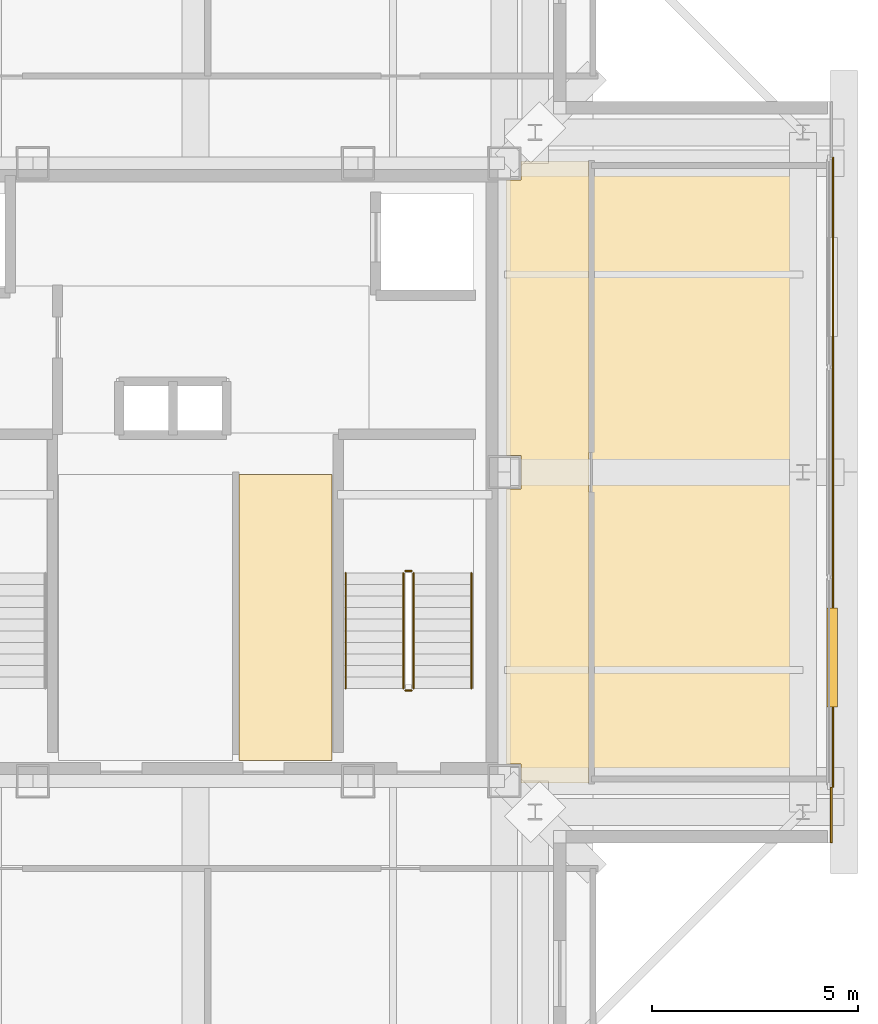
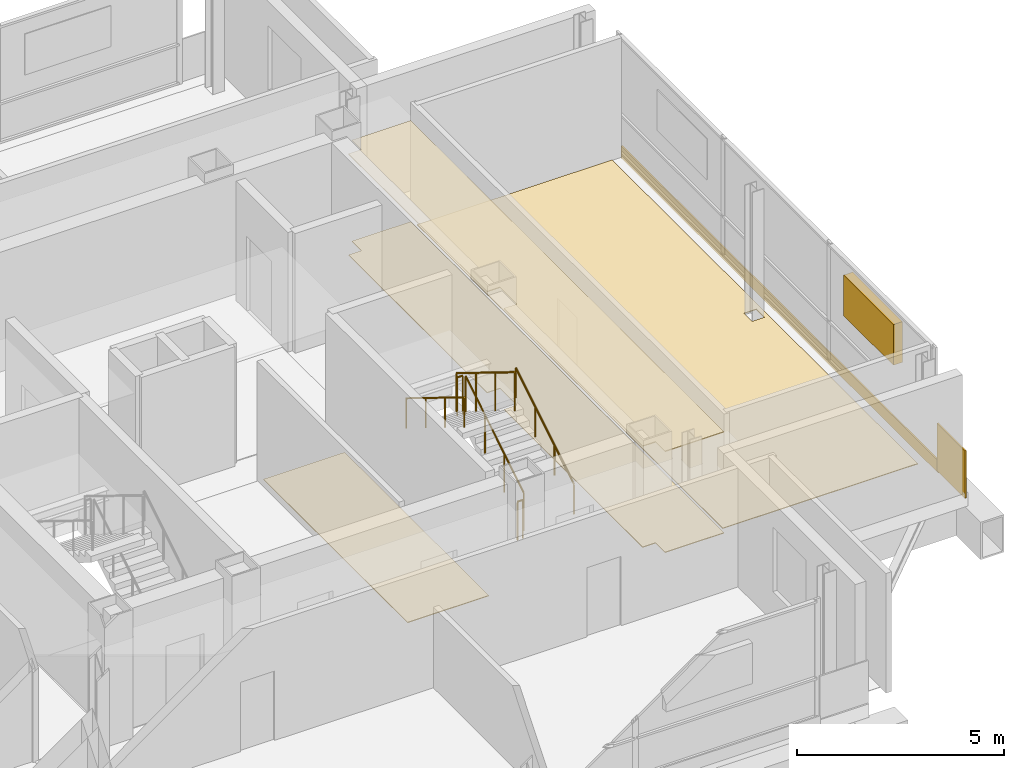
# One storey, part 9 of 10: 6 coverings, 6 railings, 1 shading device.
"""IFC4 building model written with IfcOpenShell, lengths in metres."""

from ifc_helpers import new_model, si_unit, direction, frame, frame_2d, origin, origin_2d, place, context, subcontext, project, spatial, polyline, rectangle, circle, outline, extrude, material, layer, layer_set, type_object, element, save


model = new_model("IFC4")

# Units and contexts
model_context = context("Model", 3, precision=1e-05, world=origin(), true_north=direction((0.0, 1.0)))
body_context = subcontext(model_context, "Body", "Model", "MODEL_VIEW")
ifc_project = project(units=[si_unit("LENGTHUNIT", "METRE"), si_unit("AREAUNIT", "SQUARE_METRE"), si_unit("VOLUMEUNIT", "CUBIC_METRE"), si_unit("PLANEANGLEUNIT", "RADIAN"), si_unit("MASSUNIT", "GRAM", prefix="KILO")], contexts=[model_context])

# Site, building, storey
site_placement = place(None, origin())
site = spatial("IfcSite", under=ifc_project, at=site_placement, CompositionType="ELEMENT")
building_placement = place(site_placement, origin())
building = spatial("IfcBuilding", under=site, at=building_placement, Name="Trevonay Congress Spire", CompositionType="ELEMENT")
storey_placement = place(building_placement, frame((0.0, 0.0, 316.0)))
storey = spatial("IfcBuildingStorey", under=building, at=storey_placement, Name="L83", CompositionType="ELEMENT", Elevation=316.0)

# Coverings
ifc_material_1 = material(Name="Acoustic Mineral Fibre Board", Category="gypsum")
ifc_layer_1 = layer(ifc_material_1, 0.02490234375, Name="Acoustic Mineral Fibre Board")
ifc_layer_set_1 = layer_set([ifc_layer_1], Name="Acoustic Mineral Fibre Board")
covering_type_1 = type_object("IfcCoveringType", Name="COV-CEIL-ACOUSTIC", PredefinedType="CEILING", material=ifc_layer_set_1)
covering_1_placement = place(storey_placement, frame((0.0, 0.0, 2.969970703125)))
element("IfcCovering", 1, at=covering_1_placement, inside=storey, type_object=covering_type_1, Name="L83 Crown Gallery Corridor East acoustic suspended ceiling", PredefinedType="CEILING", context=body_context, shape_type="SweptSolid", body=[
    extrude(outline(polyline([(9.550048828125, -7.550048828125), (7.909912109375, -7.550048828125), (7.909912109375, -7.090087890625), (7.550048828125, -7.090087890625), (7.550048828125, -0.409912109375), (7.909912109375, -0.409912109375), (7.909912109375, 0.409912109375), (7.550048828125, 0.409912109375), (7.550048828125, 7.090087890625), (7.909912109375, 7.090087890625), (7.909912109375, 7.550048828125), (9.550048828125, 7.550048828125), (9.550048828125, -7.550048828125)])), origin(), (0.0, 0.0, 1.0), 0.025146484375),
])
ifc_material_2 = material(Name="Polished Granite Floor Tile", Category="masonry")
ifc_layer_2 = layer(ifc_material_2, 0.02001953125, Name="Polished Granite Floor Tile")
ifc_layer_set_2 = layer_set([ifc_layer_2], Name="Polished Granite Floor Tile")
covering_type_2 = type_object("IfcCoveringType", Name="COV-FLOOR-STONE", PredefinedType="FLOORING", material=ifc_layer_set_2)
covering_2_placement = place(storey_placement, origin())
element("IfcCovering", 2, at=covering_2_placement, inside=storey, type_object=covering_type_2, Name="L83 Floor Supplies Store floor finish", PredefinedType="FLOORING", context=body_context, shape_type="SweptSolid", body=[
    extrude(outline(polyline([(1.06005859375, -7.0), (3.320068359375, -7.0), (3.320068359375, -0.050048828125), (1.06005859375, -0.050048828125), (1.06005859375, -7.0)])), origin(), (0.0, 0.0, 1.0), 0.02001953125),
])
covering_3_placement = place(storey_placement, origin())
element("IfcCovering", 3, at=covering_3_placement, inside=storey, type_object=covering_type_2, Name="L83 Crown Gallery Corridor East floor finish", PredefinedType="FLOORING", context=body_context, shape_type="SweptSolid", body=[
    extrude(outline(polyline([(9.550048828125, -7.550048828125), (7.909912109375, -7.550048828125), (7.909912109375, -7.090087890625), (7.550048828125, -7.090087890625), (7.550048828125, -0.409912109375), (7.909912109375, -0.409912109375), (7.909912109375, 0.409912109375), (7.550048828125, 0.409912109375), (7.550048828125, 7.090087890625), (7.909912109375, 7.090087890625), (7.909912109375, 7.550048828125), (9.550048828125, 7.550048828125), (9.550048828125, -7.550048828125)])), origin(), (0.0, 0.0, 1.0), 0.02001953125),
])
covering_4_placement = place(storey_placement, origin())
element("IfcCovering", 4, at=covering_4_placement, inside=storey, type_object=covering_type_2, Name="L83 Crown Lift Machine Plant floor finish", PredefinedType="FLOORING", context=body_context, shape_type="SweptSolid", body=[
    extrude(outline(polyline([(9.6201171875, 7.3701171875), (15.050048828125, 7.3701171875), (15.050048828125, -7.3701171875), (9.6201171875, -7.3701171875), (9.6201171875, 7.3701171875)]), holes=[polyline([(14.9208984375, -0.196044921875), (14.9208984375, 0.196044921875), (14.5791015625, 0.196044921875), (14.5791015625, -0.196044921875), (14.9208984375, -0.196044921875)])]), origin(), (0.0, 0.0, 1.0), 0.02001953125),
])
ifc_material_3 = material(Name="Pale Anodised Aluminium EN AW-6063-T6", Category="aluminium")
ifc_layer_3 = layer(ifc_material_3, 0.0400390625, Name="Pale Anodised Aluminium EN AW-6063-T6")
ifc_layer_set_3 = layer_set([ifc_layer_3], Name="Pale Anodised Aluminium EN AW-6063-T6")
covering_type_3 = type_object("IfcCoveringType", Name="COV-SPANDREL-PALE-METAL", PredefinedType="CLADDING", material=ifc_layer_set_3)
covering_5_placement = place(storey_placement, frame((15.47998046875, -7.64990234375, -0.239990234375), z_axis=(0.0, 0.0, 1.0), x_axis=(0.0, 1.0, 0.0)))
element("IfcCovering", 5, at=covering_5_placement, inside=storey, type_object=covering_type_3, Name="L83 E pale-metal slab-edge spandrel cladding", PredefinedType="CLADDING", context=body_context, shape_type="SweptSolid", body=[
    extrude(rectangle(XDim=15.2998046875, YDim=0.0400390625, at=frame_2d((7.64990234375, 0.0))), origin(), (0.0, 0.0, 1.0), 0.360107421875),
])
covering_6_placement = place(storey_placement, frame((15.43994140625, -7.64990234375, -0.14990234375), z_axis=(0.0, 0.0, 1.0), x_axis=(0.0, -1.0, 0.0)))
element("IfcCovering", 6, at=covering_6_placement, inside=storey, type_object=covering_type_3, Name="L83 SE corner pier spandrel cladding 1", PredefinedType="CLADDING", context=body_context, shape_type="SweptSolid", body=[
    extrude(rectangle(XDim=1.35009765625, YDim=0.0400390625, at=frame_2d((0.675048828125, 0.0))), origin(), (0.0, 0.0, 1.0), 1.39990234375),
])

# Railings
railing_type_1 = type_object("IfcRailingType", Name="RAL-STAIR-GUARD-110", PredefinedType="GUARDRAIL", material=ifc_material_3)
railing_1_placement = place(storey_placement, frame((5.300048828125, -5.25, 0.172607421875)))
element("IfcRailing", 7, at=railing_1_placement, inside=storey, type_object=railing_type_1, Name="L83 ST-2 stair guard 1", PredefinedType="GUARDRAIL", context=body_context, shape_type="SweptSolid", body=[
    extrude(circle(Radius=0.02392578125, at=origin_2d()), frame((0.0, 0.0, 1.1259765625), z_axis=(0.0, 0.851089632645, 0.525020415988), x_axis=(-1.0, 0.0, 0.0)), (0.0, 0.0, 1.0), 3.2900390625),
    extrude(circle(Radius=0.02099609375, at=origin_2d()), origin(), (0.0, 0.0, 1.0), 1.101806640625),
    extrude(circle(Radius=0.02099609375, at=origin_2d()), frame((0.0, 0.933349609375, 0.57568359375)), (0.0, 0.0, 1.0), 1.101806640625),
    extrude(circle(Radius=0.02099609375, at=origin_2d()), frame((0.0, 1.86669921875, 1.151611328125)), (0.0, 0.0, 1.0), 1.101806640625),
    extrude(circle(Radius=0.02099609375, at=origin_2d()), frame((0.0, 2.800048828125, 1.727294921875)), (0.0, 0.0, 1.0), 1.101806640625),
])
railing_2_placement = place(storey_placement, frame((5.25, -2.39990234375, 1.89990234375)))
element("IfcRailing", 8, at=railing_2_placement, inside=storey, type_object=railing_type_1, Name="L83 ST-2 stair guard 2", PredefinedType="GUARDRAIL", context=body_context, shape_type="SweptSolid", body=[
    extrude(circle(Radius=0.02392578125, at=origin_2d()), frame((0.0, 0.0, 1.1259765625), z_axis=(-1.0, 0.0, 0.0), x_axis=(0.0, -1.0, 0.0)), (0.0, 0.0, 1.0), 0.14990234375),
    extrude(circle(Radius=0.02099609375, at=origin_2d()), origin(), (0.0, 0.0, 1.0), 1.101806640625),
    extrude(circle(Radius=0.02099609375, at=origin_2d()), frame((-0.14990234375, 0.0, 0.0)), (0.0, 0.0, 1.0), 1.101806640625),
])
railing_3_placement = place(storey_placement, frame((5.050048828125, -2.449951171875, 2.07275390625)))
element("IfcRailing", 9, at=railing_3_placement, inside=storey, type_object=railing_type_1, Name="L83 ST-2 stair guard 3", PredefinedType="GUARDRAIL", context=body_context, shape_type="SweptSolid", body=[
    extrude(circle(Radius=0.02392578125, at=origin_2d()), frame((0.0, 0.0, 1.1259765625), z_axis=(0.0, -0.851089632645, 0.525020415988), x_axis=(1.0, 0.0, 0.0)), (0.0, 0.0, 1.0), 3.2900390625),
    extrude(circle(Radius=0.02099609375, at=origin_2d()), origin(), (0.0, 0.0, 1.0), 1.101806640625),
    extrude(circle(Radius=0.02099609375, at=origin_2d()), frame((0.0, -0.933349609375, 0.57568359375)), (0.0, 0.0, 1.0), 1.101806640625),
    extrude(circle(Radius=0.02099609375, at=origin_2d()), frame((0.0, -1.86669921875, 1.151611328125)), (0.0, 0.0, 1.0), 1.101806640625),
    extrude(circle(Radius=0.02099609375, at=origin_2d()), frame((0.0, -2.800048828125, 1.727294921875)), (0.0, 0.0, 1.0), 1.101806640625),
])
railing_4_placement = place(storey_placement, frame((5.25, -5.300048828125, 0.0)))
element("IfcRailing", 10, at=railing_4_placement, inside=storey, type_object=railing_type_1, Name="L83 ST-2 stair guard 4", PredefinedType="GUARDRAIL", context=body_context, shape_type="SweptSolid", body=[
    extrude(circle(Radius=0.02392578125, at=origin_2d()), frame((0.0, 0.0, 1.1259765625), z_axis=(-1.0, 0.0, 0.0), x_axis=(0.0, -1.0, 0.0)), (0.0, 0.0, 1.0), 0.14990234375),
    extrude(circle(Radius=0.02099609375, at=origin_2d()), origin(), (0.0, 0.0, 1.0), 1.101806640625),
    extrude(circle(Radius=0.02099609375, at=origin_2d()), frame((-0.14990234375, 0.0, 0.0)), (0.0, 0.0, 1.0), 1.101806640625),
])
railing_type_2 = type_object("IfcRailingType", Name="RAL-STAIR-HANDRAIL", PredefinedType="HANDRAIL", material=ifc_material_3)
railing_5_placement = place(storey_placement, frame((6.699951171875, -5.25, 0.172607421875)))
element("IfcRailing", 11, at=railing_5_placement, inside=storey, type_object=railing_type_2, Name="L83 ST-2 stair handrail 1", PredefinedType="HANDRAIL", context=body_context, shape_type="SweptSolid", body=[
    extrude(circle(Radius=0.02392578125, at=origin_2d()), frame((0.0, 0.0, 0.8759765625), z_axis=(0.0, 0.851089632645, 0.525020415988), x_axis=(-1.0, 0.0, 0.0)), (0.0, 0.0, 1.0), 3.2900390625),
    extrude(circle(Radius=0.02099609375, at=origin_2d()), origin(), (0.0, 0.0, 1.0), 0.851806640625),
    extrude(circle(Radius=0.02099609375, at=origin_2d()), frame((0.0, 0.933349609375, 0.57568359375)), (0.0, 0.0, 1.0), 0.851806640625),
    extrude(circle(Radius=0.02099609375, at=origin_2d()), frame((0.0, 1.86669921875, 1.151611328125)), (0.0, 0.0, 1.0), 0.851806640625),
    extrude(circle(Radius=0.02099609375, at=origin_2d()), frame((0.0, 2.800048828125, 1.727294921875)), (0.0, 0.0, 1.0), 0.851806640625),
])
railing_6_placement = place(storey_placement, frame((3.64990234375, -2.449951171875, 2.07275390625)))
element("IfcRailing", 12, at=railing_6_placement, inside=storey, type_object=railing_type_2, Name="L83 ST-2 stair handrail 2", PredefinedType="HANDRAIL", context=body_context, shape_type="SweptSolid", body=[
    extrude(circle(Radius=0.02392578125, at=origin_2d()), frame((0.0, 0.0, 0.8759765625), z_axis=(0.0, -0.851089632645, 0.525020415988), x_axis=(1.0, 0.0, 0.0)), (0.0, 0.0, 1.0), 3.2900390625),
    extrude(circle(Radius=0.02099609375, at=origin_2d()), origin(), (0.0, 0.0, 1.0), 0.851806640625),
    extrude(circle(Radius=0.02099609375, at=origin_2d()), frame((0.0, -0.933349609375, 0.57568359375)), (0.0, 0.0, 1.0), 0.851806640625),
    extrude(circle(Radius=0.02099609375, at=origin_2d()), frame((0.0, -1.86669921875, 1.151611328125)), (0.0, 0.0, 1.0), 0.851806640625),
    extrude(circle(Radius=0.02099609375, at=origin_2d()), frame((0.0, -2.800048828125, 1.727294921875)), (0.0, 0.0, 1.0), 0.851806640625),
])

# Shading device
shading_device_type = type_object("IfcShadingDeviceType", Name="SHD-LOUVRE-PLANT-ALUM", PredefinedType="USERDEFINED", material=ifc_material_3)
shading_device_placement = place(storey_placement, frame((15.4599609375, -4.5, 1.7998046875), z_axis=(0.0, 0.0, 1.0), x_axis=(0.0, 1.0, 0.0)))
element("IfcShadingDevice", 13, at=shading_device_placement, inside=storey, type_object=shading_device_type, Name="L83 E crown plant intake louvre 1", ObjectType="LOUVRE", PredefinedType="USERDEFINED", context=body_context, shape_type="SweptSolid", body=[
    extrude(rectangle(XDim=2.39990234375, YDim=0.25, at=origin_2d()), origin(), (0.0, 0.0, 1.0), 1.199951171875),
])

save(model, "model.ifc")
